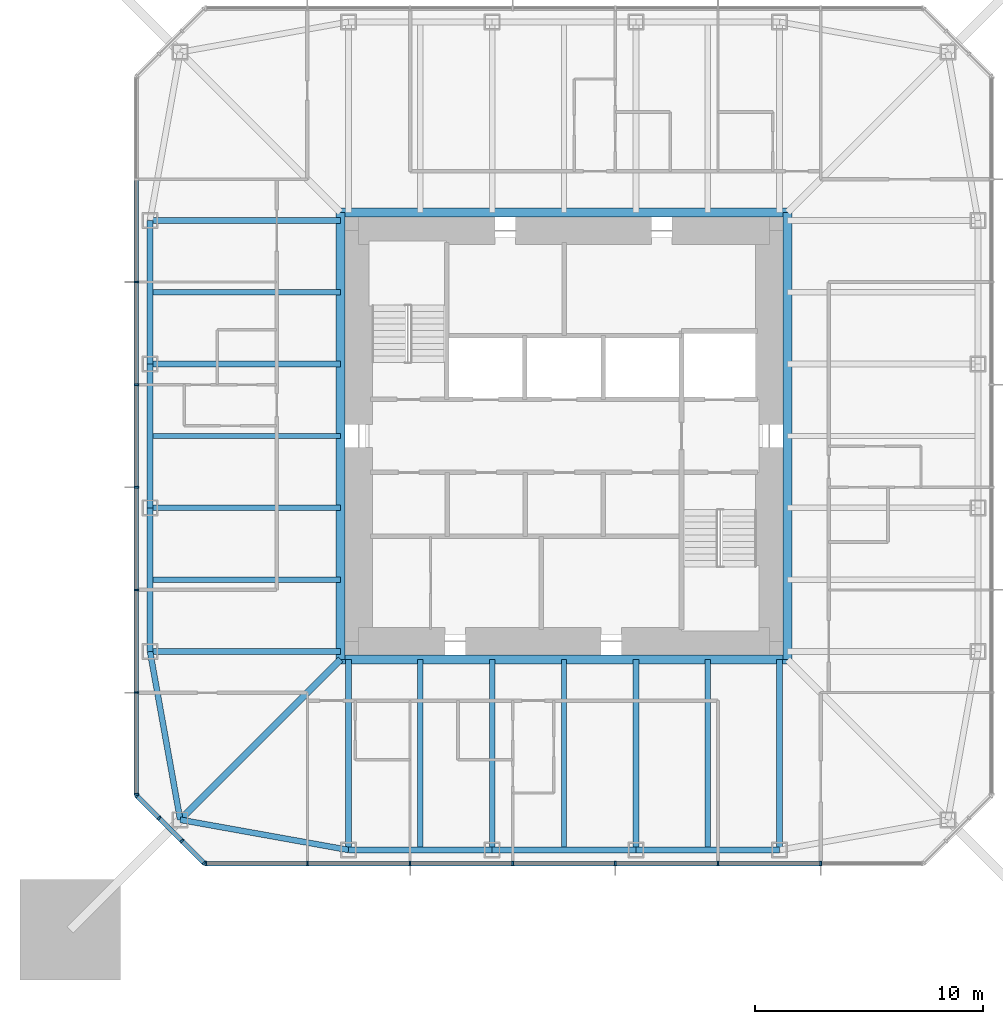
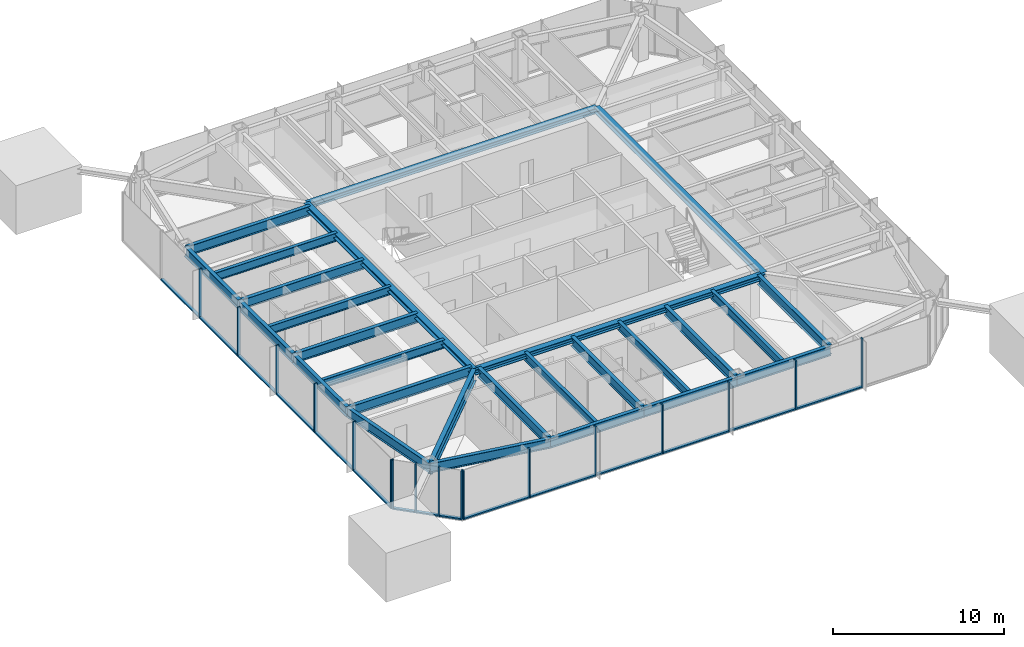
# One storey, part 2 of 11: 32 members, 27 beams, 3 elements without a shape of their own.
"""IFC4 building model written with IfcOpenShell, lengths in metres."""

from ifc_helpers import new_model, si_unit, direction, frame, origin, origin_2d, place, context, subcontext, project, spatial, rectangle, i_section, extrude, material, material_profile, profile_set, type_object, element, aggregate, save


model = new_model("IFC4")

# Units and contexts
model_context = context("Model", 3, precision=1e-05, world=origin(), true_north=direction((0.0, 1.0)))
body_context = subcontext(model_context, "Body", "Model", "MODEL_VIEW")
ifc_project = project(units=[si_unit("LENGTHUNIT", "METRE"), si_unit("AREAUNIT", "SQUARE_METRE"), si_unit("VOLUMEUNIT", "CUBIC_METRE"), si_unit("PLANEANGLEUNIT", "RADIAN"), si_unit("MASSUNIT", "GRAM", prefix="KILO")], contexts=[model_context])

# Site, building, storey
site_placement = place(None, origin())
site = spatial("IfcSite", under=ifc_project, at=site_placement, CompositionType="ELEMENT")
building_placement = place(site_placement, origin())
building = spatial("IfcBuilding", under=site, at=building_placement, Name="Iwan Alto Co-Living Towers", CompositionType="ELEMENT")
storey_placement = place(building_placement, frame((0.0, 0.0, 188.0)))
storey = spatial("IfcBuildingStorey", under=building, at=storey_placement, Name="L51", CompositionType="ELEMENT", Elevation=188.0)

# Curtain wall, members
ifc_material_1 = material(Name="Bronze aluminium unitised frame", Category="aluminium")
curtain_wall_type_1 = type_object("IfcCurtainWallType", Name="CURTAIN WALL CW-A", PredefinedType="NOTDEFINED", material=ifc_material_1)
curtain_wall_1_placement = place(storey_placement, origin())
curtain_wall_1 = element("IfcCurtainWall", 1, at=curtain_wall_1_placement, inside=storey, type_object=curtain_wall_type_1, Name="T1 curtain wall S L51", PredefinedType="NOTDEFINED")
ifc_material_2 = material(Name="Aluminium 6063-T6 bronze anodised", Category="aluminium")
ifc_material_profile_1 = material_profile(ifc_material_2, rectangle(XDim=0.199951171875, YDim=0.080078125, at=origin_2d()), Name="AL 80X200")
ifc_profile_set_1 = profile_set([ifc_material_profile_1], Name="Aluminium 6063-T6 bronze anodised")
member_type_1 = type_object("IfcMemberType", Name="CW-A MULLION 80X200", PredefinedType="MULLION", material=ifc_profile_set_1)
member_1_placement = place(storey_placement, frame((-15.7099609375, -18.75, 0.0), z_axis=(0.0, 0.0, 1.0), x_axis=(0.0, 1.0, 0.0)))
member_1 = element("IfcMember", 2, at=member_1_placement, type_object=member_type_1, Name="CW-A mullion 1", PredefinedType="MULLION", context=body_context, shape_type="SweptSolid", body=[
    extrude(rectangle(XDim=0.199951171875, YDim=0.080078125, at=origin_2d()), origin(), (0.0, 0.0, 1.0), 3.5),
])
member_2_placement = place(storey_placement, frame((-11.25, -18.75, 0.0), z_axis=(0.0, 0.0, 1.0), x_axis=(0.0, 1.0, 0.0)))
member_2 = element("IfcMember", 3, at=member_2_placement, type_object=member_type_1, Name="CW-A mullion 2", PredefinedType="MULLION", context=body_context, shape_type="SweptSolid", body=[
    extrude(rectangle(XDim=0.199951171875, YDim=0.080078125, at=origin_2d()), origin(), (0.0, 0.0, 1.0), 3.5),
])
member_3_placement = place(storey_placement, frame((-6.75, -18.75, 0.0), z_axis=(0.0, 0.0, 1.0), x_axis=(0.0, 1.0, 0.0)))
member_3 = element("IfcMember", 4, at=member_3_placement, type_object=member_type_1, Name="CW-A mullion 3", PredefinedType="MULLION", context=body_context, shape_type="SweptSolid", body=[
    extrude(rectangle(XDim=0.199951171875, YDim=0.080078125, at=origin_2d()), origin(), (0.0, 0.0, 1.0), 3.5),
])
member_4_placement = place(storey_placement, frame((-2.25, -18.75, 0.0), z_axis=(0.0, 0.0, 1.0), x_axis=(0.0, 1.0, 0.0)))
member_4 = element("IfcMember", 5, at=member_4_placement, type_object=member_type_1, Name="CW-A mullion 4", PredefinedType="MULLION", context=body_context, shape_type="SweptSolid", body=[
    extrude(rectangle(XDim=0.199951171875, YDim=0.080078125, at=origin_2d()), origin(), (0.0, 0.0, 1.0), 3.5),
])
member_5_placement = place(storey_placement, frame((2.25, -18.75, 0.0), z_axis=(0.0, 0.0, 1.0), x_axis=(0.0, 1.0, 0.0)))
member_5 = element("IfcMember", 6, at=member_5_placement, type_object=member_type_1, Name="CW-A mullion 5", PredefinedType="MULLION", context=body_context, shape_type="SweptSolid", body=[
    extrude(rectangle(XDim=0.199951171875, YDim=0.080078125, at=origin_2d()), origin(), (0.0, 0.0, 1.0), 3.5),
])
member_6_placement = place(storey_placement, frame((6.75, -18.75, 0.0), z_axis=(0.0, 0.0, 1.0), x_axis=(0.0, 1.0, 0.0)))
member_6 = element("IfcMember", 7, at=member_6_placement, type_object=member_type_1, Name="CW-A mullion 6", PredefinedType="MULLION", context=body_context, shape_type="SweptSolid", body=[
    extrude(rectangle(XDim=0.199951171875, YDim=0.080078125, at=origin_2d()), origin(), (0.0, 0.0, 1.0), 3.5),
])
member_7_placement = place(storey_placement, frame((11.25, -18.75, 0.0), z_axis=(0.0, 0.0, 1.0), x_axis=(0.0, 1.0, 0.0)))
member_7 = element("IfcMember", 8, at=member_7_placement, type_object=member_type_1, Name="CW-A mullion 7", PredefinedType="MULLION", context=body_context, shape_type="SweptSolid", body=[
    extrude(rectangle(XDim=0.199951171875, YDim=0.080078125, at=origin_2d()), origin(), (0.0, 0.0, 1.0), 3.5),
])

curtain_wall_2_placement = place(storey_placement, origin())
curtain_wall_2 = element("IfcCurtainWall", 9, at=curtain_wall_2_placement, inside=storey, type_object=curtain_wall_type_1, Name="T1 curtain wall W L51", PredefinedType="NOTDEFINED")
member_8_placement = place(storey_placement, frame((-18.75, 6.75, 0.0), z_axis=(0.0, 0.0, 1.0), x_axis=(1.0, 0.0, 0.0)))
member_8 = element("IfcMember", 10, at=member_8_placement, type_object=member_type_1, Name="CW-A mullion 3", PredefinedType="MULLION", context=body_context, shape_type="SweptSolid", body=[
    extrude(rectangle(XDim=0.199951171875, YDim=0.080078125, at=origin_2d()), origin(), (0.0, 0.0, 1.0), 3.5),
])
member_9_placement = place(storey_placement, frame((-18.75, 2.25, 0.0), z_axis=(0.0, 0.0, 1.0), x_axis=(1.0, 0.0, 0.0)))
member_9 = element("IfcMember", 11, at=member_9_placement, type_object=member_type_1, Name="CW-A mullion 4", PredefinedType="MULLION", context=body_context, shape_type="SweptSolid", body=[
    extrude(rectangle(XDim=0.199951171875, YDim=0.080078125, at=origin_2d()), origin(), (0.0, 0.0, 1.0), 3.5),
])
member_10_placement = place(storey_placement, frame((-18.75, -2.25, 0.0), z_axis=(0.0, 0.0, 1.0), x_axis=(1.0, 0.0, 0.0)))
member_10 = element("IfcMember", 12, at=member_10_placement, type_object=member_type_1, Name="CW-A mullion 5", PredefinedType="MULLION", context=body_context, shape_type="SweptSolid", body=[
    extrude(rectangle(XDim=0.199951171875, YDim=0.080078125, at=origin_2d()), origin(), (0.0, 0.0, 1.0), 3.5),
])
member_11_placement = place(storey_placement, frame((-18.75, -6.75, 0.0), z_axis=(0.0, 0.0, 1.0), x_axis=(1.0, 0.0, 0.0)))
member_11 = element("IfcMember", 13, at=member_11_placement, type_object=member_type_1, Name="CW-A mullion 6", PredefinedType="MULLION", context=body_context, shape_type="SweptSolid", body=[
    extrude(rectangle(XDim=0.199951171875, YDim=0.080078125, at=origin_2d()), origin(), (0.0, 0.0, 1.0), 3.5),
])
member_12_placement = place(storey_placement, frame((-18.75, -11.25, 0.0), z_axis=(0.0, 0.0, 1.0), x_axis=(1.0, 0.0, 0.0)))
member_12 = element("IfcMember", 14, at=member_12_placement, type_object=member_type_1, Name="CW-A mullion 7", PredefinedType="MULLION", context=body_context, shape_type="SweptSolid", body=[
    extrude(rectangle(XDim=0.199951171875, YDim=0.080078125, at=origin_2d()), origin(), (0.0, 0.0, 1.0), 3.5),
])
member_13_placement = place(storey_placement, frame((-18.75, -15.7099609375, 0.0), z_axis=(0.0, 0.0, 1.0), x_axis=(1.0, 0.0, 0.0)))
member_13 = element("IfcMember", 15, at=member_13_placement, type_object=member_type_1, Name="CW-A mullion 8", PredefinedType="MULLION", context=body_context, shape_type="SweptSolid", body=[
    extrude(rectangle(XDim=0.199951171875, YDim=0.080078125, at=origin_2d()), origin(), (0.0, 0.0, 1.0), 3.5),
])

# Member
ifc_material_3 = material(Name="Aluminium 6063-T6 bronze anodised", Category="aluminium")
ifc_material_profile_2 = material_profile(ifc_material_3, rectangle(XDim=0.199951171875, YDim=0.10009765625, at=origin_2d()), Name="AL 200X100")
ifc_profile_set_2 = profile_set([ifc_material_profile_2], Name="Aluminium 6063-T6 bronze anodised")
member_type_2 = type_object("IfcMemberType", Name="CW-A TRANSOM 200X100", PredefinedType="USERDEFINED", material=ifc_profile_set_2)
member_14_placement = place(storey_placement, frame((-15.669921875, -18.75, 0.050048828125), z_axis=(1.0, 0.0, 0.0), x_axis=(0.0, 1.0, 0.0)))
member_14 = element("IfcMember", 16, at=member_14_placement, type_object=member_type_2, Name="CW-A transom 1.1", ObjectType="TRANSOM", PredefinedType="USERDEFINED", context=body_context, shape_type="SweptSolid", body=[
    extrude(rectangle(XDim=0.199951171875, YDim=0.10009765625, at=origin_2d()), origin(), (0.0, 0.0, 1.0), 4.3798828125),
])

member_15_placement = place(storey_placement, frame((-11.2099609375, -18.75, 0.050048828125), z_axis=(1.0, 0.0, 0.0), x_axis=(0.0, 1.0, 0.0)))
member_15 = element("IfcMember", 17, at=member_15_placement, type_object=member_type_2, Name="CW-A transom 2.1", ObjectType="TRANSOM", PredefinedType="USERDEFINED", context=body_context, shape_type="SweptSolid", body=[
    extrude(rectangle(XDim=0.199951171875, YDim=0.10009765625, at=origin_2d()), origin(), (0.0, 0.0, 1.0), 4.419921875),
])

member_16_placement = place(storey_placement, frame((-6.7099609375, -18.75, 0.050048828125), z_axis=(1.0, 0.0, 0.0), x_axis=(0.0, 1.0, 0.0)))
member_16 = element("IfcMember", 18, at=member_16_placement, type_object=member_type_2, Name="CW-A transom 3.1", ObjectType="TRANSOM", PredefinedType="USERDEFINED", context=body_context, shape_type="SweptSolid", body=[
    extrude(rectangle(XDim=0.199951171875, YDim=0.10009765625, at=origin_2d()), origin(), (0.0, 0.0, 1.0), 4.419921875),
])

member_17_placement = place(storey_placement, frame((-2.2099609375, -18.75, 0.050048828125), z_axis=(1.0, 0.0, 0.0), x_axis=(0.0, 1.0, 0.0)))
member_17 = element("IfcMember", 19, at=member_17_placement, type_object=member_type_2, Name="CW-A transom 4.1", ObjectType="TRANSOM", PredefinedType="USERDEFINED", context=body_context, shape_type="SweptSolid", body=[
    extrude(rectangle(XDim=0.199951171875, YDim=0.10009765625, at=origin_2d()), origin(), (0.0, 0.0, 1.0), 4.419921875),
])

member_18_placement = place(storey_placement, frame((2.2900390625, -18.75, 0.050048828125), z_axis=(1.0, 0.0, 0.0), x_axis=(0.0, 1.0, 0.0)))
member_18 = element("IfcMember", 20, at=member_18_placement, type_object=member_type_2, Name="CW-A transom 5.1", ObjectType="TRANSOM", PredefinedType="USERDEFINED", context=body_context, shape_type="SweptSolid", body=[
    extrude(rectangle(XDim=0.199951171875, YDim=0.10009765625, at=origin_2d()), origin(), (0.0, 0.0, 1.0), 4.419921875),
])

member_19_placement = place(storey_placement, frame((6.7900390625, -18.75, 0.050048828125), z_axis=(1.0, 0.0, 0.0), x_axis=(0.0, 1.0, 0.0)))
member_19 = element("IfcMember", 21, at=member_19_placement, type_object=member_type_2, Name="CW-A transom 6.1", ObjectType="TRANSOM", PredefinedType="USERDEFINED", context=body_context, shape_type="SweptSolid", body=[
    extrude(rectangle(XDim=0.199951171875, YDim=0.10009765625, at=origin_2d()), origin(), (0.0, 0.0, 1.0), 4.419921875),
])

aggregate(curtain_wall_1, [member_1, member_2, member_3, member_4, member_5, member_6, member_7, member_14, member_15, member_16, member_17, member_18, member_19])

member_20_placement = place(storey_placement, frame((-18.75, 11.2099609375, 0.050048828125), z_axis=(0.0, -1.0, 0.0), x_axis=(1.0, 0.0, 0.0)))
member_20 = element("IfcMember", 22, at=member_20_placement, type_object=member_type_2, Name="CW-A transom 2.1", ObjectType="TRANSOM", PredefinedType="USERDEFINED", context=body_context, shape_type="SweptSolid", body=[
    extrude(rectangle(XDim=0.199951171875, YDim=0.10009765625, at=origin_2d()), origin(), (0.0, 0.0, 1.0), 4.419921875),
])

member_21_placement = place(storey_placement, frame((-18.75, 6.7099609375, 0.050048828125), z_axis=(0.0, -1.0, 0.0), x_axis=(1.0, 0.0, 0.0)))
member_21 = element("IfcMember", 23, at=member_21_placement, type_object=member_type_2, Name="CW-A transom 3.1", ObjectType="TRANSOM", PredefinedType="USERDEFINED", context=body_context, shape_type="SweptSolid", body=[
    extrude(rectangle(XDim=0.199951171875, YDim=0.10009765625, at=origin_2d()), origin(), (0.0, 0.0, 1.0), 4.419921875),
])

member_22_placement = place(storey_placement, frame((-18.75, 2.2099609375, 0.050048828125), z_axis=(0.0, -1.0, 0.0), x_axis=(1.0, 0.0, 0.0)))
member_22 = element("IfcMember", 24, at=member_22_placement, type_object=member_type_2, Name="CW-A transom 4.1", ObjectType="TRANSOM", PredefinedType="USERDEFINED", context=body_context, shape_type="SweptSolid", body=[
    extrude(rectangle(XDim=0.199951171875, YDim=0.10009765625, at=origin_2d()), origin(), (0.0, 0.0, 1.0), 4.419921875),
])

member_23_placement = place(storey_placement, frame((-18.75, -2.2900390625, 0.050048828125), z_axis=(0.0, -1.0, 0.0), x_axis=(1.0, 0.0, 0.0)))
member_23 = element("IfcMember", 25, at=member_23_placement, type_object=member_type_2, Name="CW-A transom 5.1", ObjectType="TRANSOM", PredefinedType="USERDEFINED", context=body_context, shape_type="SweptSolid", body=[
    extrude(rectangle(XDim=0.199951171875, YDim=0.10009765625, at=origin_2d()), origin(), (0.0, 0.0, 1.0), 4.419921875),
])

member_24_placement = place(storey_placement, frame((-18.75, -6.7900390625, 0.050048828125), z_axis=(0.0, -1.0, 0.0), x_axis=(1.0, 0.0, 0.0)))
member_24 = element("IfcMember", 26, at=member_24_placement, type_object=member_type_2, Name="CW-A transom 6.1", ObjectType="TRANSOM", PredefinedType="USERDEFINED", context=body_context, shape_type="SweptSolid", body=[
    extrude(rectangle(XDim=0.199951171875, YDim=0.10009765625, at=origin_2d()), origin(), (0.0, 0.0, 1.0), 4.419921875),
])

member_25_placement = place(storey_placement, frame((-18.75, -11.2900390625, 0.050048828125), z_axis=(0.0, -1.0, 0.0), x_axis=(1.0, 0.0, 0.0)))
member_25 = element("IfcMember", 27, at=member_25_placement, type_object=member_type_2, Name="CW-A transom 7.1", ObjectType="TRANSOM", PredefinedType="USERDEFINED", context=body_context, shape_type="SweptSolid", body=[
    extrude(rectangle(XDim=0.199951171875, YDim=0.10009765625, at=origin_2d()), origin(), (0.0, 0.0, 1.0), 4.3798828125),
])

aggregate(curtain_wall_2, [member_8, member_9, member_10, member_11, member_12, member_13, member_20, member_21, member_22, member_23, member_24, member_25])

# Curtain wall, members
ifc_material_4 = material(Name="Bronze aluminium unitised frame", Category="aluminium")
curtain_wall_type_2 = type_object("IfcCurtainWallType", Name="CURTAIN WALL CW-B", PredefinedType="NOTDEFINED", material=ifc_material_4)
curtain_wall_3_placement = place(storey_placement, origin())
curtain_wall_3 = element("IfcCurtainWall", 28, at=curtain_wall_3_placement, inside=storey, type_object=curtain_wall_type_2, Name="T1 chamfer curtain wall SW L51", PredefinedType="NOTDEFINED")
ifc_material_5 = material(Name="Aluminium 6063-T6 bronze anodised", Category="aluminium")
ifc_material_profile_3 = material_profile(ifc_material_5, rectangle(XDim=0.199951171875, YDim=0.080078125, at=origin_2d()), Name="AL 80X200")
ifc_profile_set_3 = profile_set([ifc_material_profile_3], Name="Aluminium 6063-T6 bronze anodised")
member_type_3 = type_object("IfcMemberType", Name="CW-B MULLION 80X200", PredefinedType="MULLION", material=ifc_profile_set_3)
member_26_placement = place(storey_placement, frame((-18.7216796875, -15.7783203125, 0.0), z_axis=(0.0, 0.0, 1.0), x_axis=(0.707106781187, 0.707106781187, 0.0)))
member_26 = element("IfcMember", 29, at=member_26_placement, type_object=member_type_3, Name="CW-B mullion 1", PredefinedType="MULLION", context=body_context, shape_type="SweptSolid", body=[
    extrude(rectangle(XDim=0.199951171875, YDim=0.080078125, at=origin_2d()), origin(), (0.0, 0.0, 1.0), 3.5),
])
member_27_placement = place(storey_placement, frame((-17.75, -16.75, 0.0), z_axis=(0.0, 0.0, 1.0), x_axis=(0.707106781187, 0.707106781187, 0.0)))
member_27 = element("IfcMember", 30, at=member_27_placement, type_object=member_type_3, Name="CW-B mullion 2", PredefinedType="MULLION", context=body_context, shape_type="SweptSolid", body=[
    extrude(rectangle(XDim=0.199951171875, YDim=0.080078125, at=origin_2d()), origin(), (0.0, 0.0, 1.0), 3.5),
])
member_28_placement = place(storey_placement, frame((-16.75, -17.75, 0.0), z_axis=(0.0, 0.0, 1.0), x_axis=(0.707106781187, 0.707106781187, 0.0)))
member_28 = element("IfcMember", 31, at=member_28_placement, type_object=member_type_3, Name="CW-B mullion 3", PredefinedType="MULLION", context=body_context, shape_type="SweptSolid", body=[
    extrude(rectangle(XDim=0.199951171875, YDim=0.080078125, at=origin_2d()), origin(), (0.0, 0.0, 1.0), 3.5),
])
member_29_placement = place(storey_placement, frame((-15.7783203125, -18.7216796875, 0.0), z_axis=(0.0, 0.0, 1.0), x_axis=(0.707106781187, 0.707106781187, 0.0)))
member_29 = element("IfcMember", 32, at=member_29_placement, type_object=member_type_3, Name="CW-B mullion 4", PredefinedType="MULLION", context=body_context, shape_type="SweptSolid", body=[
    extrude(rectangle(XDim=0.199951171875, YDim=0.080078125, at=origin_2d()), origin(), (0.0, 0.0, 1.0), 3.5),
])
ifc_material_6 = material(Name="Aluminium 6063-T6 bronze anodised", Category="aluminium")
ifc_material_profile_4 = material_profile(ifc_material_6, rectangle(XDim=0.199951171875, YDim=0.10009765625, at=origin_2d()), Name="AL 200X100")
ifc_profile_set_4 = profile_set([ifc_material_profile_4], Name="Aluminium 6063-T6 bronze anodised")
member_type_4 = type_object("IfcMemberType", Name="CW-B TRANSOM 200X100", PredefinedType="USERDEFINED", material=ifc_profile_set_4)
member_30_placement = place(storey_placement, frame((-18.693359375, -15.806640625, 0.050048828125), z_axis=(0.707106781187, -0.707106781187, 0.0), x_axis=(0.707106781187, 0.707106781187, 0.0)))
member_30 = element("IfcMember", 33, at=member_30_placement, type_object=member_type_4, Name="CW-B transom 1.1", ObjectType="TRANSOM", PredefinedType="USERDEFINED", context=body_context, shape_type="SweptSolid", body=[
    extrude(rectangle(XDim=0.199951171875, YDim=0.10009765625, at=origin_2d()), origin(), (0.0, 0.0, 1.0), 1.2939453125),
])
member_31_placement = place(storey_placement, frame((-17.7216796875, -16.7783203125, 0.050048828125), z_axis=(0.707106781187, -0.707106781187, 0.0), x_axis=(0.707106781187, 0.707106781187, 0.0)))
member_31 = element("IfcMember", 34, at=member_31_placement, type_object=member_type_4, Name="CW-B transom 2.1", ObjectType="TRANSOM", PredefinedType="USERDEFINED", context=body_context, shape_type="SweptSolid", body=[
    extrude(rectangle(XDim=0.199951171875, YDim=0.10009765625, at=origin_2d()), origin(), (0.0, 0.0, 1.0), 1.334228515625),
])
member_32_placement = place(storey_placement, frame((-16.7216796875, -17.7783203125, 0.050048828125), z_axis=(0.707106781187, -0.707106781187, 0.0), x_axis=(0.707106781187, 0.707106781187, 0.0)))
member_32 = element("IfcMember", 35, at=member_32_placement, type_object=member_type_4, Name="CW-B transom 3.1", ObjectType="TRANSOM", PredefinedType="USERDEFINED", context=body_context, shape_type="SweptSolid", body=[
    extrude(rectangle(XDim=0.199951171875, YDim=0.10009765625, at=origin_2d()), origin(), (0.0, 0.0, 1.0), 1.2939453125),
])
aggregate(curtain_wall_3, [member_26, member_27, member_28, member_29, member_30, member_31, member_32])

# Beams
ifc_material_7 = material(Name="Steel ASTM A992 Gr 50", Category="steel")
ifc_material_profile_5 = material_profile(ifc_material_7, i_section(OverallWidth=0.398681640625, OverallDepth=0.385986328125, WebThickness=0.02099609375, FlangeThickness=0.033203125, at=origin_2d()), Name="W14X176")
ifc_profile_set_5 = profile_set([ifc_material_profile_5], Name="Steel ASTM A992 Gr 50")
beam_type_1 = type_object("IfcBeamType", Name="T1 CORE LEDGER BEAM W14X176", PredefinedType="BEAM", material=ifc_profile_set_5)
for number, where, z_axis, x_axis, name in (
    (36, (-9.79931640625, -9.79931640625, 3.076904296875), (1.0, 0.0, 0.0), (0.0, 1.0, 0.0), "T1 core ledger beam S L52"),
    (37, (9.79931640625, -9.79931640625, 3.076904296875), (0.0, 1.0, 0.0), (-1.0, 0.0, 0.0), "T1 core ledger beam E L52"),
    (38, (9.79931640625, 9.79931640625, 3.076904296875), (-1.0, 0.0, 0.0), (0.0, -1.0, 0.0), "T1 core ledger beam N L52"),
    (39, (-9.79931640625, 9.79931640625, 3.076904296875), (0.0, -1.0, 0.0), (1.0, 0.0, 0.0), "T1 core ledger beam W L52"),
):
    element("IfcBeam", number, at=place(storey_placement, frame(where, z_axis=z_axis, x_axis=x_axis)), inside=storey, type_object=beam_type_1, Name=name, PredefinedType="BEAM", context=body_context, shape_type="SweptSolid", body=[
        extrude(i_section(OverallWidth=0.398681640625, OverallDepth=0.385986328125, WebThickness=0.02099609375, FlangeThickness=0.033203125, at=origin_2d()), origin(), (0.0, 0.0, 1.0), 19.5986328125),
    ])
ifc_material_8 = material(Name="Steel ASTM A992 Gr 50", Category="steel")
ifc_material_profile_6 = material_profile(ifc_material_8, i_section(OverallWidth=0.2919921875, OverallDepth=0.8408203125, WebThickness=0.0146484375, FlangeThickness=0.021728515625, at=origin_2d()), Name="W33X130")
ifc_profile_set_6 = profile_set([ifc_material_profile_6], Name="Steel ASTM A992 Gr 50")
beam_type_2 = type_object("IfcBeamType", Name="T1 CORNER GIRDER W33X130", PredefinedType="BEAM", material=ifc_profile_set_6)
beam_1_placement = place(storey_placement, frame((-16.82568359375, -16.82568359375, 2.849609375), z_axis=(0.707106781187, 0.707106781187, 0.0), x_axis=(-0.707106781187, 0.707106781187, 0.0)))
element("IfcBeam", 40, at=beam_1_placement, inside=storey, type_object=beam_type_2, Name="T1 corner girder CSW L52", PredefinedType="BEAM", context=body_context, shape_type="SweptSolid", body=[
    extrude(i_section(OverallWidth=0.2919921875, OverallDepth=0.8408203125, WebThickness=0.0146484375, FlangeThickness=0.021728515625, at=origin_2d()), origin(), (0.0, 0.0, 1.0), 9.936767578125),
])
ifc_material_9 = material(Name="Steel ASTM A992 Gr 50", Category="steel")
ifc_material_profile_7 = material_profile(ifc_material_9, i_section(OverallWidth=0.25390625, OverallDepth=0.683349609375, WebThickness=0.012451171875, FlangeThickness=0.018798828125, at=origin_2d()), Name="W27X94")
ifc_profile_set_7 = profile_set([ifc_material_profile_7], Name="Steel ASTM A992 Gr 50")
beam_type_3 = type_object("IfcBeamType", Name="T1 EDGE BEAM W27X94", PredefinedType="BEAM", material=ifc_profile_set_7)
beam_2_placement = place(storey_placement, frame((-16.82568359375, -16.82568359375, 2.928466796875), z_axis=(0.98426263553, -0.17671181143, 0.0), x_axis=(0.17671181143, 0.98426263553, 0.0)))
element("IfcBeam", 41, at=beam_2_placement, inside=storey, type_object=beam_type_3, Name="T1 edge beam CSW L52", PredefinedType="BEAM", context=body_context, shape_type="SweptSolid", body=[
    extrude(i_section(OverallWidth=0.25390625, OverallDepth=0.683349609375, WebThickness=0.012451171875, FlangeThickness=0.018798828125, at=origin_2d()), origin(), (0.0, 0.0, 1.0), 7.49365234375),
])
beam_3_placement = place(storey_placement, frame((-9.449951171875, -18.14990234375, 2.928466796875), z_axis=(1.0, 0.0, 0.0), x_axis=(0.0, 1.0, 0.0)))
element("IfcBeam", 42, at=beam_3_placement, inside=storey, type_object=beam_type_3, Name="T1 edge beam S1 L52", PredefinedType="BEAM", context=body_context, shape_type="SweptSolid", body=[
    extrude(i_section(OverallWidth=0.25390625, OverallDepth=0.683349609375, WebThickness=0.012451171875, FlangeThickness=0.018798828125, at=origin_2d()), origin(), (0.0, 0.0, 1.0), 6.300048828125),
])
beam_4_placement = place(storey_placement, frame((-3.14990234375, -18.14990234375, 2.928466796875), z_axis=(1.0, 0.0, 0.0), x_axis=(0.0, 1.0, 0.0)))
element("IfcBeam", 43, at=beam_4_placement, inside=storey, type_object=beam_type_3, Name="T1 edge beam S2 L52", PredefinedType="BEAM", context=body_context, shape_type="SweptSolid", body=[
    extrude(i_section(OverallWidth=0.25390625, OverallDepth=0.683349609375, WebThickness=0.012451171875, FlangeThickness=0.018798828125, at=origin_2d()), origin(), (0.0, 0.0, 1.0), 6.2998046875),
])
for number, where, z_axis, x_axis, name in (
    (44, (3.14990234375, -18.14990234375, 2.928466796875), (1.0, 0.0, 0.0), (0.0, 1.0, 0.0), "T1 edge beam S3 L52"),
    (45, (-18.14990234375, 9.449951171875, 2.928466796875), (0.0, -1.0, 0.0), (1.0, 0.0, 0.0), "T1 edge beam W1 L52"),
):
    element("IfcBeam", number, at=place(storey_placement, frame(where, z_axis=z_axis, x_axis=x_axis)), inside=storey, type_object=beam_type_3, Name=name, PredefinedType="BEAM", context=body_context, shape_type="SweptSolid", body=[
        extrude(i_section(OverallWidth=0.25390625, OverallDepth=0.683349609375, WebThickness=0.012451171875, FlangeThickness=0.018798828125, at=origin_2d()), origin(), (0.0, 0.0, 1.0), 6.300048828125),
    ])
beam_5_placement = place(storey_placement, frame((-18.14990234375, 3.14990234375, 2.928466796875), z_axis=(0.0, -1.0, 0.0), x_axis=(1.0, 0.0, 0.0)))
element("IfcBeam", 46, at=beam_5_placement, inside=storey, type_object=beam_type_3, Name="T1 edge beam W2 L52", PredefinedType="BEAM", context=body_context, shape_type="SweptSolid", body=[
    extrude(i_section(OverallWidth=0.25390625, OverallDepth=0.683349609375, WebThickness=0.012451171875, FlangeThickness=0.018798828125, at=origin_2d()), origin(), (0.0, 0.0, 1.0), 6.2998046875),
])
beam_6_placement = place(storey_placement, frame((-18.14990234375, -3.14990234375, 2.928466796875), z_axis=(0.0, -1.0, 0.0), x_axis=(1.0, 0.0, 0.0)))
element("IfcBeam", 47, at=beam_6_placement, inside=storey, type_object=beam_type_3, Name="T1 edge beam W3 L52", PredefinedType="BEAM", context=body_context, shape_type="SweptSolid", body=[
    extrude(i_section(OverallWidth=0.25390625, OverallDepth=0.683349609375, WebThickness=0.012451171875, FlangeThickness=0.018798828125, at=origin_2d()), origin(), (0.0, 0.0, 1.0), 6.300048828125),
])
beam_7_placement = place(storey_placement, frame((-18.14990234375, -9.449951171875, 2.928466796875), z_axis=(0.17671181143, -0.98426263553, 0.0), x_axis=(0.98426263553, 0.17671181143, 0.0)))
element("IfcBeam", 48, at=beam_7_placement, inside=storey, type_object=beam_type_3, Name="T1 edge beam W4 L52", PredefinedType="BEAM", context=body_context, shape_type="SweptSolid", body=[
    extrude(i_section(OverallWidth=0.25390625, OverallDepth=0.683349609375, WebThickness=0.012451171875, FlangeThickness=0.018798828125, at=origin_2d()), origin(), (0.0, 0.0, 1.0), 7.49365234375),
])
ifc_material_10 = material(Name="Steel ASTM A992 Gr 50", Category="steel")
ifc_material_profile_8 = material_profile(ifc_material_10, i_section(OverallWidth=0.25390625, OverallDepth=0.683349609375, WebThickness=0.012451171875, FlangeThickness=0.018798828125, at=origin_2d()), Name="W27X94")
ifc_profile_set_8 = profile_set([ifc_material_profile_8], Name="Steel ASTM A992 Gr 50")
beam_type_4 = type_object("IfcBeamType", Name="T1 RADIAL BEAM W27X94", PredefinedType="BEAM", material=ifc_profile_set_8)
for number, where, z_axis, x_axis, name in (
    (49, (-9.449951171875, -18.14990234375, 2.928466796875), (0.0, 1.0, 0.0), (-1.0, 0.0, 0.0), "T1 radial beam S1 L52"),
    (50, (-3.14990234375, -18.14990234375, 2.928466796875), (0.0, 1.0, 0.0), (-1.0, 0.0, 0.0), "T1 radial beam S2 L52"),
    (51, (3.14990234375, -18.14990234375, 2.928466796875), (0.0, 1.0, 0.0), (-1.0, 0.0, 0.0), "T1 radial beam S3 L52"),
    (52, (9.449951171875, -18.14990234375, 2.928466796875), (0.0, 1.0, 0.0), (-1.0, 0.0, 0.0), "T1 radial beam S4 L52"),
    (53, (-18.14990234375, 9.449951171875, 2.928466796875), (1.0, 0.0, 0.0), (0.0, 1.0, 0.0), "T1 radial beam W1 L52"),
    (54, (-18.14990234375, 3.14990234375, 2.928466796875), (1.0, 0.0, 0.0), (0.0, 1.0, 0.0), "T1 radial beam W2 L52"),
    (55, (-18.14990234375, -3.14990234375, 2.928466796875), (1.0, 0.0, 0.0), (0.0, 1.0, 0.0), "T1 radial beam W3 L52"),
    (56, (-18.14990234375, -9.449951171875, 2.928466796875), (1.0, 0.0, 0.0), (0.0, 1.0, 0.0), "T1 radial beam W4 L52"),
):
    element("IfcBeam", number, at=place(storey_placement, frame(where, z_axis=z_axis, x_axis=x_axis)), inside=storey, type_object=beam_type_4, Name=name, PredefinedType="BEAM", context=body_context, shape_type="SweptSolid", body=[
        extrude(i_section(OverallWidth=0.25390625, OverallDepth=0.683349609375, WebThickness=0.012451171875, FlangeThickness=0.018798828125, at=origin_2d()), origin(), (0.0, 0.0, 1.0), 8.3505859375),
    ])
ifc_material_11 = material(Name="Steel ASTM A992 Gr 50", Category="steel")
ifc_material_profile_9 = material_profile(ifc_material_11, i_section(OverallWidth=0.228271484375, OverallDepth=0.607177734375, WebThickness=0.01123046875, FlangeThickness=0.017333984375, at=origin_2d()), Name="W24X76")
ifc_profile_set_9 = profile_set([ifc_material_profile_9], Name="Steel ASTM A992 Gr 50")
beam_type_5 = type_object("IfcBeamType", Name="T1 SECONDARY BEAM W24X76", PredefinedType="JOIST", material=ifc_profile_set_9)
for number, where, z_axis, x_axis, name in (
    (57, (-6.300048828125, -18.14990234375, 2.966552734375), (0.0, 1.0, 0.0), (-1.0, 0.0, 0.0), "T1 secondary beam S1 L52"),
    (58, (0.0, -18.14990234375, 2.966552734375), (0.0, 1.0, 0.0), (-1.0, 0.0, 0.0), "T1 secondary beam S2 L52"),
    (59, (6.300048828125, -18.14990234375, 2.966552734375), (0.0, 1.0, 0.0), (-1.0, 0.0, 0.0), "T1 secondary beam S3 L52"),
    (60, (-18.14990234375, 6.300048828125, 2.966552734375), (1.0, 0.0, 0.0), (0.0, 1.0, 0.0), "T1 secondary beam W1 L52"),
    (61, (-18.14990234375, 0.0, 2.966552734375), (1.0, 0.0, 0.0), (0.0, 1.0, 0.0), "T1 secondary beam W2 L52"),
    (62, (-18.14990234375, -6.300048828125, 2.966552734375), (1.0, 0.0, 0.0), (0.0, 1.0, 0.0), "T1 secondary beam W3 L52"),
):
    element("IfcBeam", number, at=place(storey_placement, frame(where, z_axis=z_axis, x_axis=x_axis)), inside=storey, type_object=beam_type_5, Name=name, PredefinedType="JOIST", context=body_context, shape_type="SweptSolid", body=[
        extrude(i_section(OverallWidth=0.228271484375, OverallDepth=0.607177734375, WebThickness=0.01123046875, FlangeThickness=0.017333984375, at=origin_2d()), origin(), (0.0, 0.0, 1.0), 8.3505859375),
    ])

save(model, "model.ifc")
